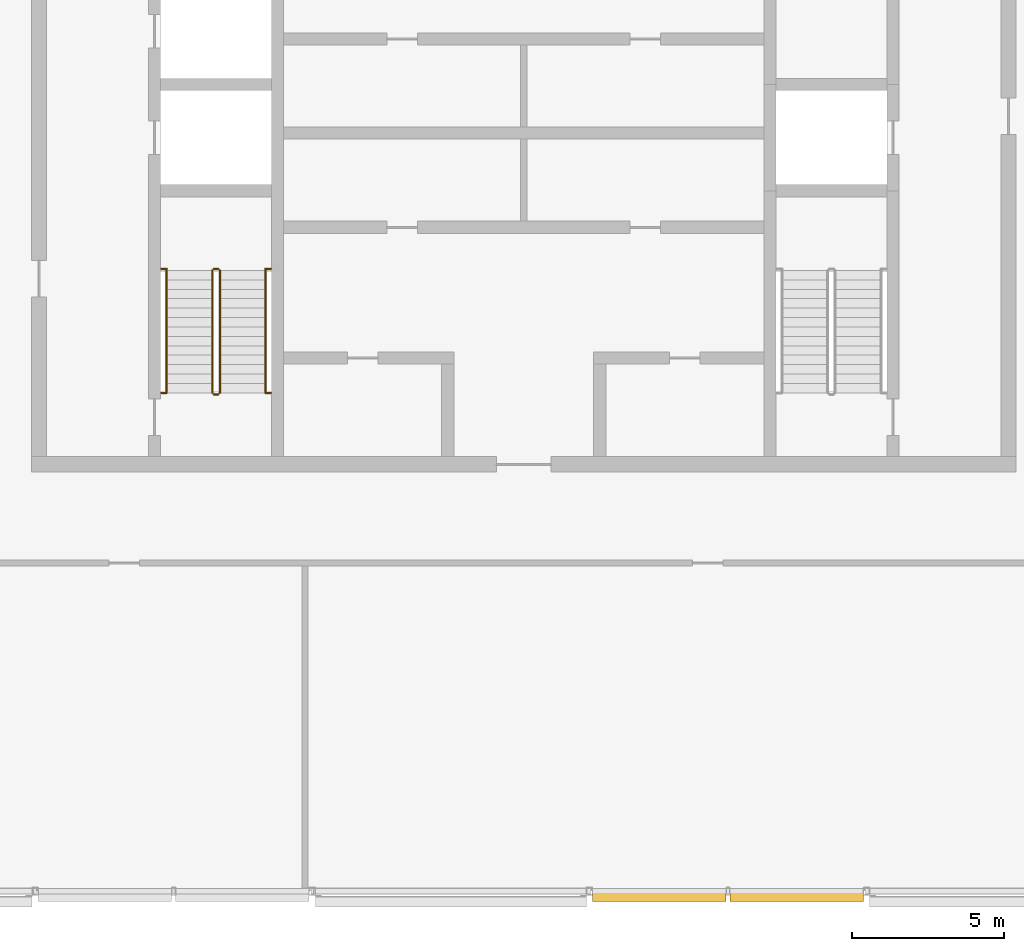
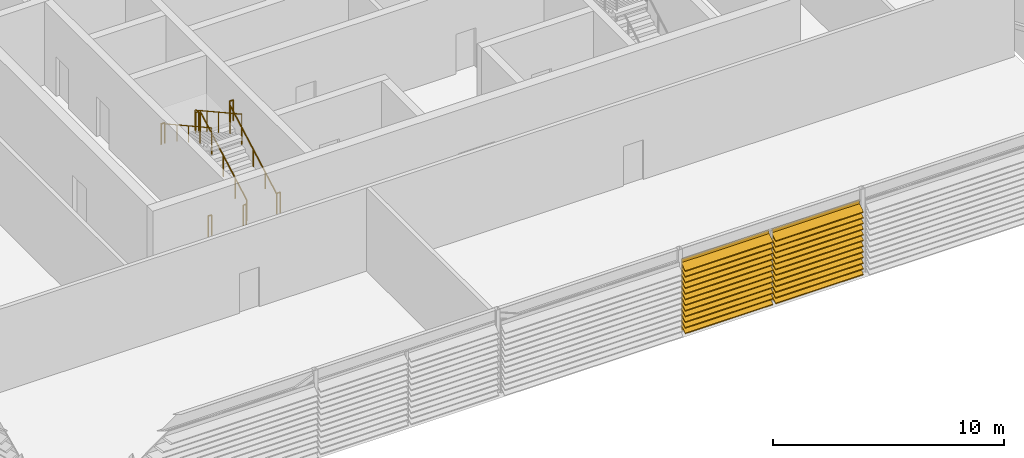
# One storey, part 24 of 27: 10 railings, 2 shading devices.
"""IFC4 building model written with IfcOpenShell, lengths in metres."""

from ifc_helpers import new_model, si_unit, direction, frame, origin, origin_2d, place, context, subcontext, project, spatial, polyline, circle, outline, extrude, material, type_object, element, save


model = new_model("IFC4")

# Units and contexts
model_context = context("Model", 3, precision=1e-05, world=origin(), true_north=direction((0.0, 1.0)))
body_context = subcontext(model_context, "Body", "Model", "MODEL_VIEW")
ifc_project = project(units=[si_unit("LENGTHUNIT", "METRE"), si_unit("AREAUNIT", "SQUARE_METRE"), si_unit("VOLUMEUNIT", "CUBIC_METRE"), si_unit("PLANEANGLEUNIT", "RADIAN"), si_unit("MASSUNIT", "GRAM", prefix="KILO")], contexts=[model_context])

# Site, building, storey
site_placement = place(None, origin())
site = spatial("IfcSite", under=ifc_project, at=site_placement, CompositionType="ELEMENT")
building_placement = place(site_placement, origin())
building = spatial("IfcBuilding", under=site, at=building_placement, Name="Madar Terraces", CompositionType="ELEMENT")
storey_placement = place(building_placement, frame((0.0, 0.0, 301.10009765625)))
storey = spatial("IfcBuildingStorey", under=building, at=storey_placement, Name="L78", CompositionType="ELEMENT", Elevation=301.10009765625)

# Shading devices
ifc_material_1 = material(Name="Aluminium, black anodised", Category="aluminium")
shading_device_type = type_object("IfcShadingDeviceType", Name="Crown louvre bank", PredefinedType="USERDEFINED", material=ifc_material_1)
shading_device_1_placement = place(storey_placement, frame((33.461669921875, 1.199951171875, 0.0), z_axis=(1.0, 0.0, 0.0), x_axis=(0.0, 1.0, 0.0)))
element("IfcShadingDevice", 1, at=shading_device_1_placement, inside=storey, type_object=shading_device_type, Name="LOUVRE bank L78 4.1", ObjectType="LOUVRE", PredefinedType="USERDEFINED", context=body_context, shape_type="SweptSolid", body=[
    extrude(outline(polyline([(0.014892578125, 0.0), (-0.014892578125, 0.0), (-0.014892578125, 0.24951171875), (-0.3427734375, 0.02001953125), (-0.3427734375, 0.06884765625), (-0.014892578125, 0.29833984375), (-0.014892578125, 0.54931640625), (-0.3427734375, 0.320068359375), (-0.3427734375, 0.368896484375), (-0.014892578125, 0.59814453125), (-0.014892578125, 0.849365234375), (-0.3427734375, 0.6201171875), (-0.3427734375, 0.6689453125), (-0.014892578125, 0.898193359375), (-0.014892578125, 1.1494140625), (-0.3427734375, 0.919921875), (-0.3427734375, 0.96875), (-0.014892578125, 1.1982421875), (-0.014892578125, 1.449462890625), (-0.3427734375, 1.219970703125), (-0.3427734375, 1.268798828125), (-0.014892578125, 1.498291015625), (-0.014892578125, 1.74951171875), (-0.3427734375, 1.52001953125), (-0.3427734375, 1.56884765625), (-0.014892578125, 1.79833984375), (-0.014892578125, 2.04931640625), (-0.3427734375, 1.820068359375), (-0.3427734375, 1.868896484375), (-0.014892578125, 2.09814453125), (-0.014892578125, 2.349365234375), (-0.3427734375, 2.1201171875), (-0.3427734375, 2.1689453125), (-0.014892578125, 2.398193359375), (-0.014892578125, 2.6494140625), (-0.3427734375, 2.419921875), (-0.3427734375, 2.46875), (-0.014892578125, 2.6982421875), (-0.014892578125, 2.949462890625), (-0.3427734375, 2.719970703125), (-0.3427734375, 2.768798828125), (-0.014892578125, 2.998291015625), (-0.014892578125, 3.24951171875), (-0.3427734375, 3.02001953125), (-0.3427734375, 3.06884765625), (-0.014892578125, 3.29833984375), (-0.014892578125, 3.54931640625), (-0.3427734375, 3.320068359375), (-0.3427734375, 3.368896484375), (-0.014892578125, 3.59814453125), (-0.014892578125, 3.798095703125), (0.014892578125, 3.798095703125), (0.014892578125, 0.0)])), origin(), (0.0, 0.0, 1.0), 4.394775390625),
])
shading_device_2_placement = place(storey_placement, frame((37.9833984375, 1.199951171875, 0.0), z_axis=(1.0, 0.0, 0.0), x_axis=(0.0, 1.0, 0.0)))
element("IfcShadingDevice", 2, at=shading_device_2_placement, inside=storey, type_object=shading_device_type, Name="LOUVRE bank L78 4.2", ObjectType="LOUVRE", PredefinedType="USERDEFINED", context=body_context, shape_type="SweptSolid", body=[
    extrude(outline(polyline([(0.014892578125, 0.0), (-0.014892578125, 0.0), (-0.014892578125, 0.24951171875), (-0.3427734375, 0.02001953125), (-0.3427734375, 0.06884765625), (-0.014892578125, 0.29833984375), (-0.014892578125, 0.54931640625), (-0.3427734375, 0.320068359375), (-0.3427734375, 0.368896484375), (-0.014892578125, 0.59814453125), (-0.014892578125, 0.849365234375), (-0.3427734375, 0.6201171875), (-0.3427734375, 0.6689453125), (-0.014892578125, 0.898193359375), (-0.014892578125, 1.1494140625), (-0.3427734375, 0.919921875), (-0.3427734375, 0.96875), (-0.014892578125, 1.1982421875), (-0.014892578125, 1.449462890625), (-0.3427734375, 1.219970703125), (-0.3427734375, 1.268798828125), (-0.014892578125, 1.498291015625), (-0.014892578125, 1.74951171875), (-0.3427734375, 1.52001953125), (-0.3427734375, 1.56884765625), (-0.014892578125, 1.79833984375), (-0.014892578125, 2.04931640625), (-0.3427734375, 1.820068359375), (-0.3427734375, 1.868896484375), (-0.014892578125, 2.09814453125), (-0.014892578125, 2.349365234375), (-0.3427734375, 2.1201171875), (-0.3427734375, 2.1689453125), (-0.014892578125, 2.398193359375), (-0.014892578125, 2.6494140625), (-0.3427734375, 2.419921875), (-0.3427734375, 2.46875), (-0.014892578125, 2.6982421875), (-0.014892578125, 2.949462890625), (-0.3427734375, 2.719970703125), (-0.3427734375, 2.768798828125), (-0.014892578125, 2.998291015625), (-0.014892578125, 3.24951171875), (-0.3427734375, 3.02001953125), (-0.3427734375, 3.06884765625), (-0.014892578125, 3.29833984375), (-0.014892578125, 3.54931640625), (-0.3427734375, 3.320068359375), (-0.3427734375, 3.368896484375), (-0.014892578125, 3.59814453125), (-0.014892578125, 3.798095703125), (0.014892578125, 3.798095703125), (0.014892578125, 0.0)])), origin(), (0.0, 0.0, 1.0), 4.39501953125),
])

# Railings
ifc_material_2 = material(Name="Stainless steel railing", Category="steel")
railing_type_1 = type_object("IfcRailingType", Name="Stair guard 1100", PredefinedType="GUARDRAIL", material=ifc_material_2)
railing_1_placement = place(storey_placement, frame((21.199951171875, 17.60009765625, 0.17138671875)))
element("IfcRailing", 3, at=railing_1_placement, inside=storey, type_object=railing_type_1, Name="L78 ST1 stair guard 1", PredefinedType="GUARDRAIL", context=body_context, shape_type="SweptSolid", body=[
    extrude(circle(Radius=0.02392578125, at=origin_2d()), frame((0.0, 0.0, 1.076171875), z_axis=(0.0, 0.875100925707, 0.483940461035), x_axis=(-1.0, 0.0, 0.0)), (0.0, 0.0, 1.0), 4.60498046875),
    extrude(circle(Radius=0.02099609375, at=origin_2d()), origin(), (0.0, 0.0, 1.0), 1.052001953125),
    extrude(circle(Radius=0.02099609375, at=origin_2d()), frame((0.0, 1.00732421875, 0.55712890625)), (0.0, 0.0, 1.0), 1.052001953125),
    extrude(circle(Radius=0.02099609375, at=origin_2d()), frame((0.0, 2.014892578125, 1.1142578125)), (0.0, 0.0, 1.0), 1.052001953125),
    extrude(circle(Radius=0.02099609375, at=origin_2d()), frame((0.0, 3.0224609375, 1.67138671875)), (0.0, 0.0, 1.0), 1.052001953125),
    extrude(circle(Radius=0.02099609375, at=origin_2d()), frame((0.0, 4.02978515625, 2.228515625)), (0.0, 0.0, 1.0), 1.052001953125),
])
railing_2_placement = place(storey_placement, frame((21.14990234375, 21.679931640625, 2.39990234375)))
element("IfcRailing", 4, at=railing_2_placement, inside=storey, type_object=railing_type_1, Name="L78 ST1 stair guard 2", PredefinedType="GUARDRAIL", context=body_context, shape_type="SweptSolid", body=[
    extrude(circle(Radius=0.02392578125, at=origin_2d()), frame((0.0, 0.0, 1.076171875), z_axis=(-1.0, 0.0, 0.0), x_axis=(0.0, -1.0, 0.0)), (0.0, 0.0, 1.0), 0.14990234375),
    extrude(circle(Radius=0.02099609375, at=origin_2d()), origin(), (0.0, 0.0, 1.0), 1.052001953125),
    extrude(circle(Radius=0.02099609375, at=origin_2d()), frame((-0.14990234375, 0.0, 0.0)), (0.0, 0.0, 1.0), 1.052001953125),
])
railing_3_placement = place(storey_placement, frame((20.949951171875, 21.6298828125, 2.5712890625)))
element("IfcRailing", 5, at=railing_3_placement, inside=storey, type_object=railing_type_1, Name="L78 ST1 stair guard 3", PredefinedType="GUARDRAIL", context=body_context, shape_type="SweptSolid", body=[
    extrude(circle(Radius=0.02392578125, at=origin_2d()), frame((0.0, 0.0, 1.076171875), z_axis=(0.0, -0.875100925707, 0.483940461035), x_axis=(1.0, 0.0, 0.0)), (0.0, 0.0, 1.0), 4.60498046875),
    extrude(circle(Radius=0.02099609375, at=origin_2d()), origin(), (0.0, 0.0, 1.0), 1.052001953125),
    extrude(circle(Radius=0.02099609375, at=origin_2d()), frame((0.0, -1.00732421875, 0.55712890625)), (0.0, 0.0, 1.0), 1.052001953125),
    extrude(circle(Radius=0.02099609375, at=origin_2d()), frame((0.0, -2.014892578125, 1.1142578125)), (0.0, 0.0, 1.0), 1.052001953125),
    extrude(circle(Radius=0.02099609375, at=origin_2d()), frame((0.0, -3.0224609375, 1.67138671875)), (0.0, 0.0, 1.0), 1.052001953125),
    extrude(circle(Radius=0.02099609375, at=origin_2d()), frame((0.0, -4.02978515625, 2.228515625)), (0.0, 0.0, 1.0), 1.052001953125),
])
railing_4_placement = place(storey_placement, frame((21.14990234375, 17.550048828125, 0.0)))
element("IfcRailing", 6, at=railing_4_placement, inside=storey, type_object=railing_type_1, Name="L78 ST1 stair guard 4", PredefinedType="GUARDRAIL", context=body_context, shape_type="SweptSolid", body=[
    extrude(circle(Radius=0.02392578125, at=origin_2d()), frame((0.0, 0.0, 1.076171875), z_axis=(-1.0, 0.0, 0.0), x_axis=(0.0, -1.0, 0.0)), (0.0, 0.0, 1.0), 0.14990234375),
    extrude(circle(Radius=0.02099609375, at=origin_2d()), origin(), (0.0, 0.0, 1.0), 1.052001953125),
    extrude(circle(Radius=0.02099609375, at=origin_2d()), frame((-0.14990234375, 0.0, 0.0)), (0.0, 0.0, 1.0), 1.052001953125),
])
for number, where, name in (
    (7, (19.27001953125, 21.679931640625, 2.39990234375), "L78 stair guard seat 1"),
    (8, (22.699951171875, 21.679931640625, 2.39990234375), "L78 stair guard seat 2"),
    (9, (19.27001953125, 17.60009765625, 0.0), "L78 stair guard floor 1"),
    (10, (22.699951171875, 17.60009765625, 0.0), "L78 stair guard floor 2"),
):
    element("IfcRailing", number, at=place(storey_placement, frame(where)), inside=storey, type_object=railing_type_1, Name=name, PredefinedType="GUARDRAIL", context=body_context, shape_type="SweptSolid", body=[
        extrude(circle(Radius=0.02392578125, at=origin_2d()), frame((0.0, 0.0, 1.076171875), z_axis=(1.0, 0.0, 0.0), x_axis=(0.0, 1.0, 0.0)), (0.0, 0.0, 1.0), 0.179931640625),
        extrude(circle(Radius=0.02099609375, at=origin_2d()), origin(), (0.0, 0.0, 1.0), 1.052001953125),
        extrude(circle(Radius=0.02099609375, at=origin_2d()), frame((0.179931640625, 0.0, 0.0)), (0.0, 0.0, 1.0), 1.052001953125),
    ])
ifc_material_3 = material(Name="Stainless steel railing", Category="steel")
railing_type_2 = type_object("IfcRailingType", Name="Stair handrail 900", PredefinedType="HANDRAIL", material=ifc_material_3)
railing_5_placement = place(storey_placement, frame((22.699951171875, 17.60009765625, 0.17138671875)))
element("IfcRailing", 11, at=railing_5_placement, inside=storey, type_object=railing_type_2, Name="L78 ST1 stair handrail 1", PredefinedType="HANDRAIL", context=body_context, shape_type="SweptSolid", body=[
    extrude(circle(Radius=0.02392578125, at=origin_2d()), frame((0.0, 0.0, 0.8759765625), z_axis=(0.0, 0.875100925707, 0.483940461035), x_axis=(-1.0, 0.0, 0.0)), (0.0, 0.0, 1.0), 4.60498046875),
    extrude(circle(Radius=0.02099609375, at=origin_2d()), origin(), (0.0, 0.0, 1.0), 0.851806640625),
    extrude(circle(Radius=0.02099609375, at=origin_2d()), frame((0.0, 1.00732421875, 0.55712890625)), (0.0, 0.0, 1.0), 0.851806640625),
    extrude(circle(Radius=0.02099609375, at=origin_2d()), frame((0.0, 2.014892578125, 1.1142578125)), (0.0, 0.0, 1.0), 0.851806640625),
    extrude(circle(Radius=0.02099609375, at=origin_2d()), frame((0.0, 3.0224609375, 1.67138671875)), (0.0, 0.0, 1.0), 0.851806640625),
    extrude(circle(Radius=0.02099609375, at=origin_2d()), frame((0.0, 4.02978515625, 2.228515625)), (0.0, 0.0, 1.0), 0.851806640625),
])
railing_6_placement = place(storey_placement, frame((19.449951171875, 21.6298828125, 2.5712890625)))
element("IfcRailing", 12, at=railing_6_placement, inside=storey, type_object=railing_type_2, Name="L78 ST1 stair handrail 2", PredefinedType="HANDRAIL", context=body_context, shape_type="SweptSolid", body=[
    extrude(circle(Radius=0.02392578125, at=origin_2d()), frame((0.0, 0.0, 0.8759765625), z_axis=(0.0, -0.875100925707, 0.483940461035), x_axis=(1.0, 0.0, 0.0)), (0.0, 0.0, 1.0), 4.60498046875),
    extrude(circle(Radius=0.02099609375, at=origin_2d()), origin(), (0.0, 0.0, 1.0), 0.851806640625),
    extrude(circle(Radius=0.02099609375, at=origin_2d()), frame((0.0, -1.00732421875, 0.55712890625)), (0.0, 0.0, 1.0), 0.851806640625),
    extrude(circle(Radius=0.02099609375, at=origin_2d()), frame((0.0, -2.014892578125, 1.1142578125)), (0.0, 0.0, 1.0), 0.851806640625),
    extrude(circle(Radius=0.02099609375, at=origin_2d()), frame((0.0, -3.0224609375, 1.67138671875)), (0.0, 0.0, 1.0), 0.851806640625),
    extrude(circle(Radius=0.02099609375, at=origin_2d()), frame((0.0, -4.02978515625, 2.228515625)), (0.0, 0.0, 1.0), 0.851806640625),
])

save(model, "model.ifc")
